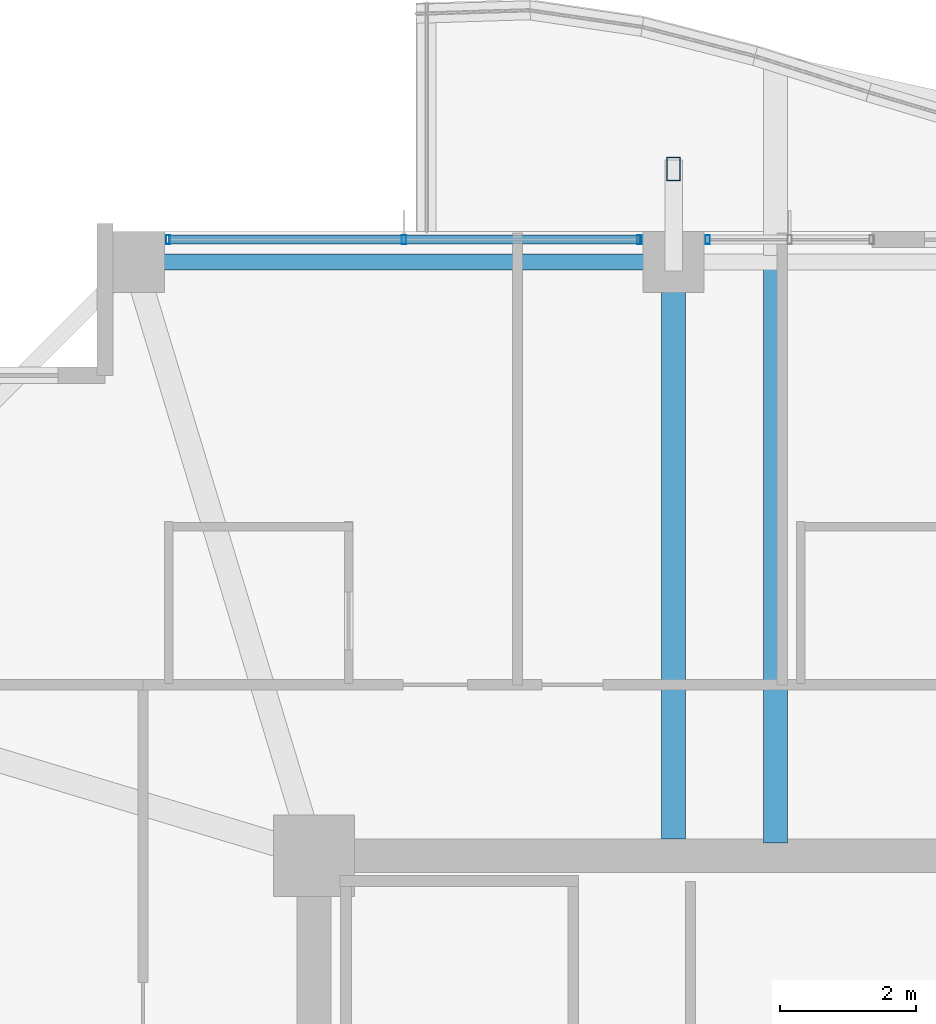
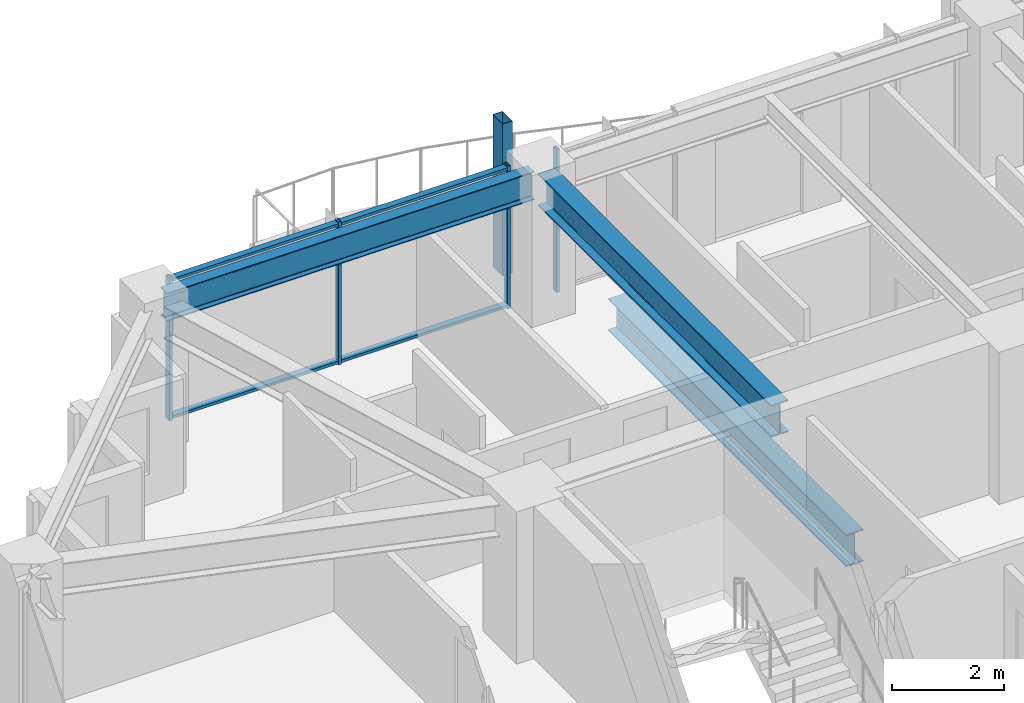
# One storey, part 16 of 32: 7 members, 3 beams, 2 elements without a shape of their own.
"""IFC4 building model written with IfcOpenShell, lengths in metres."""

from ifc_helpers import new_model, si_unit, direction, frame, origin, origin_2d, place, context, subcontext, project, spatial, hollow_rectangle, i_section, extrude, material, material_profile, profile_set, type_object, element, aggregate, save


model = new_model("IFC4")

# Units and contexts
model_context = context("Model", 3, precision=1e-05, world=origin(), true_north=direction((0.0, 1.0)))
body_context = subcontext(model_context, "Body", "Model", "MODEL_VIEW")
ifc_project = project(units=[si_unit("LENGTHUNIT", "METRE"), si_unit("AREAUNIT", "SQUARE_METRE"), si_unit("VOLUMEUNIT", "CUBIC_METRE"), si_unit("PLANEANGLEUNIT", "RADIAN"), si_unit("MASSUNIT", "GRAM", prefix="KILO")], contexts=[model_context])

# Site, building, storey
site_placement = place(None, origin())
site = spatial("IfcSite", under=ifc_project, at=site_placement, CompositionType="ELEMENT")
building_placement = place(site_placement, origin())
building = spatial("IfcBuilding", under=site, at=building_placement, Name="Kolvaren Belvedere", CompositionType="ELEMENT")
storey_placement = place(building_placement, frame((0.0, 0.0, 160.199951171875)))
storey = spatial("IfcBuildingStorey", under=building, at=storey_placement, Name="L46", CompositionType="ELEMENT", Elevation=160.199951171875)

# Beams
ifc_material_1 = material(Name="Structural steel ASTM A992 Grade 50", Category="steel")
ifc_material_profile_1 = material_profile(ifc_material_1, i_section(OverallWidth=0.35498046875, OverallDepth=0.696044921875, WebThickness=0.015380859375, FlangeThickness=0.02490234375, FilletRadius=0.02197265625, at=origin_2d()), Name="W27X146")
ifc_profile_set_1 = profile_set([ifc_material_profile_1], Name="Structural steel ASTM A992 Grade 50")
beam_type_1 = type_object("IfcBeamType", Name="BM-GIRD-W27X146", PredefinedType="BEAM", material=ifc_profile_set_1)
beam_1_placement = place(storey_placement, frame((-3.10009765625, 10.090087890625, -0.5478515625), z_axis=(0.0, 1.0, 0.0), x_axis=(-1.0, 0.0, 0.0)))
element("IfcBeam", 1, at=beam_1_placement, inside=storey, type_object=beam_type_1, Name="L46 Balcony Interior Back-Span Girder BAL-N-1", PredefinedType="BEAM", context=body_context, shape_type="SweptSolid", body=[
    extrude(i_section(OverallWidth=0.35498046875, OverallDepth=0.696044921875, WebThickness=0.015380859375, FlangeThickness=0.02490234375, FilletRadius=0.02197265625, at=origin_2d()), origin(), (0.0, 0.0, 1.0), 8.46484375),
])
beam_2_placement = place(storey_placement, frame((-4.60009765625, 10.14990234375, 2.751953125), z_axis=(0.0, 1.0, 0.0), x_axis=(-1.0, 0.0, 0.0)))
element("IfcBeam", 2, at=beam_2_placement, inside=storey, type_object=beam_type_1, Name="L46 North Radial Girder M", PredefinedType="BEAM", context=body_context, shape_type="SweptSolid", body=[
    extrude(i_section(OverallWidth=0.35498046875, OverallDepth=0.696044921875, WebThickness=0.015380859375, FlangeThickness=0.02490234375, FilletRadius=0.02197265625, at=origin_2d()), origin(), (0.0, 0.0, 1.0), 8.297607421875),
])
ifc_material_2 = material(Name="Structural steel ASTM A992 Grade 50", Category="steel")
ifc_material_profile_2 = material_profile(ifc_material_2, i_section(OverallWidth=0.22900390625, OverallDepth=0.612060546875, WebThickness=0.011962890625, FlangeThickness=0.01953125, FilletRadius=0.01806640625, at=origin_2d()), Name="W24X84")
ifc_profile_set_2 = profile_set([ifc_material_profile_2], Name="Structural steel ASTM A992 Grade 50")
beam_type_2 = type_object("IfcBeamType", Name="BM-SPAN-W24X84", PredefinedType="SPANDREL", material=ifc_profile_set_2)
beam_3_placement = place(storey_placement, frame((-4.802490234375, 18.64990234375, 2.7939453125), z_axis=(-1.0, 0.0, 0.0), x_axis=(0.0, -1.0, 0.0)))
element("IfcBeam", 3, at=beam_3_placement, inside=storey, type_object=beam_type_2, Name="L46 Perimeter Spandrel N2-N1", PredefinedType="SPANDREL", context=body_context, shape_type="SweptSolid", body=[
    extrude(i_section(OverallWidth=0.22900390625, OverallDepth=0.612060546875, WebThickness=0.011962890625, FlangeThickness=0.01953125, FilletRadius=0.01806640625, at=origin_2d()), origin(), (0.0, 0.0, 1.0), 7.544921875),
])

# Curtain wall, members
ifc_material_3 = material(Name="Anodised pale-metal aluminium AA 6063-T6", Category="aluminium")
curtain_wall_type = type_object("IfcCurtainWallType", Name="CW-Z3-WAIST", PredefinedType="NOTDEFINED", material=ifc_material_3)
curtain_wall_1_placement = place(storey_placement, origin())
curtain_wall_1 = element("IfcCurtainWall", 4, at=curtain_wall_1_placement, inside=storey, type_object=curtain_wall_type, Name="L46 Unitised Curtain Wall FCW-L46-N1-B1", PredefinedType="NOTDEFINED")
ifc_material_4 = material(Name="Anodised pale-metal aluminium AA 6063-T6", Category="aluminium")
ifc_material_profile_3 = material_profile(ifc_material_4, hollow_rectangle(XDim=0.06494140625, YDim=0.1298828125, WallThickness=0.00390625, at=origin_2d()), Name="ALU-MUL-130X65")
ifc_profile_set_3 = profile_set([ifc_material_profile_3], Name="Anodised pale-metal aluminium AA 6063-T6")
member_type_1 = type_object("IfcMemberType", Name="CW-MUL-130", PredefinedType="MULLION", material=ifc_profile_set_3)
member_1_placement = place(storey_placement, frame((-12.047607421875, 18.97998046875, 0.0), z_axis=(0.0, 0.0, 1.0), x_axis=(1.0, 0.0, 0.0)))
member_1 = element("IfcMember", 5, at=member_1_placement, type_object=member_type_1, Name="FCW-L46-N1-B1 Unitised Mullion 1", PredefinedType="MULLION", context=body_context, shape_type="SweptSolid", body=[
    extrude(hollow_rectangle(XDim=0.06494140625, YDim=0.1298828125, WallThickness=0.00390625, at=origin_2d()), origin(), (0.0, 0.0, 1.0), 3.10009765625),
])
member_2_placement = place(storey_placement, frame((-8.574951171875, 18.97998046875, 0.0), z_axis=(0.0, 0.0, 1.0), x_axis=(1.0, 0.0, 0.0)))
member_2 = element("IfcMember", 6, at=member_2_placement, type_object=member_type_1, Name="FCW-L46-N1-B1 Unitised Mullion 2", PredefinedType="MULLION", context=body_context, shape_type="SweptSolid", body=[
    extrude(hollow_rectangle(XDim=0.06494140625, YDim=0.1298828125, WallThickness=0.00390625, at=origin_2d()), origin(), (0.0, 0.0, 1.0), 3.10009765625),
])
member_3_placement = place(storey_placement, frame((-5.1025390625, 18.97998046875, 0.0), z_axis=(0.0, 0.0, 1.0), x_axis=(1.0, 0.0, 0.0)))
member_3 = element("IfcMember", 7, at=member_3_placement, type_object=member_type_1, Name="FCW-L46-N1-B1 Unitised Mullion 3", PredefinedType="MULLION", context=body_context, shape_type="SweptSolid", body=[
    extrude(hollow_rectangle(XDim=0.06494140625, YDim=0.1298828125, WallThickness=0.00390625, at=origin_2d()), origin(), (0.0, 0.0, 1.0), 3.10009765625),
])

# Curtain wall, member
curtain_wall_2_placement = place(storey_placement, origin())
curtain_wall_2 = element("IfcCurtainWall", 8, at=curtain_wall_2_placement, inside=storey, type_object=curtain_wall_type, Name="L46 Unitised Curtain Wall FCW-L46-N1-B2", PredefinedType="NOTDEFINED")
member_4_placement = place(storey_placement, frame((-4.097412109375, 18.97998046875, 0.0), z_axis=(0.0, 0.0, 1.0), x_axis=(1.0, 0.0, 0.0)))
member_4 = element("IfcMember", 9, at=member_4_placement, type_object=member_type_1, Name="FCW-L46-N1-B2 Unitised Mullion 1", PredefinedType="MULLION", context=body_context, shape_type="SweptSolid", body=[
    extrude(hollow_rectangle(XDim=0.06494140625, YDim=0.1298828125, WallThickness=0.00390625, at=origin_2d()), origin(), (0.0, 0.0, 1.0), 3.10009765625),
])
aggregate(curtain_wall_2, [member_4])

# Member
ifc_material_5 = material(Name="Anodised pale-metal aluminium AA 6063-T6", Category="aluminium")
ifc_material_profile_4 = material_profile(ifc_material_5, hollow_rectangle(XDim=0.06005859375, YDim=0.1298828125, WallThickness=0.00390625, at=origin_2d()), Name="ALU-TRN-130X60")
ifc_profile_set_4 = profile_set([ifc_material_profile_4], Name="Anodised pale-metal aluminium AA 6063-T6")
member_type_2 = type_object("IfcMemberType", Name="CW-TRN-130", PredefinedType="USERDEFINED", material=ifc_profile_set_4)
member_5_placement = place(storey_placement, frame((-12.047607421875, 18.97998046875, 0.06005859375), z_axis=(1.0, 0.0, 0.0), x_axis=(0.0, 0.0, 1.0)))
member_5 = element("IfcMember", 10, at=member_5_placement, type_object=member_type_2, Name="FCW-L46-N1-B1 Sill Transom", ObjectType="TRANSOM", PredefinedType="USERDEFINED", context=body_context, shape_type="SweptSolid", body=[
    extrude(hollow_rectangle(XDim=0.06005859375, YDim=0.1298828125, WallThickness=0.00390625, at=origin_2d()), origin(), (0.0, 0.0, 1.0), 6.945068359375),
])

member_6_placement = place(storey_placement, frame((-12.047607421875, 18.97998046875, 3.0400390625), z_axis=(1.0, 0.0, 0.0), x_axis=(0.0, 0.0, 1.0)))
member_6 = element("IfcMember", 11, at=member_6_placement, type_object=member_type_2, Name="FCW-L46-N1-B1 Head Transom", ObjectType="TRANSOM", PredefinedType="USERDEFINED", context=body_context, shape_type="SweptSolid", body=[
    extrude(hollow_rectangle(XDim=0.06005859375, YDim=0.1298828125, WallThickness=0.00390625, at=origin_2d()), origin(), (0.0, 0.0, 1.0), 6.945068359375),
])

aggregate(curtain_wall_1, [member_1, member_2, member_3, member_5, member_6])

ifc_material_6 = material(Name="Anodised pale-metal aluminium AA 6063-T6", Category="aluminium")
ifc_material_profile_5 = material_profile(ifc_material_6, hollow_rectangle(XDim=0.199951171875, YDim=0.35009765625, WallThickness=0.007568359375, at=origin_2d()), Name="ALU-PF-350X200")
ifc_profile_set_5 = profile_set([ifc_material_profile_5], Name="Anodised pale-metal aluminium AA 6063-T6")
member_type_3 = type_object("IfcMemberType", Name="PF-FRAME-350", PredefinedType="USERDEFINED", material=ifc_profile_set_5)
member_7_placement = place(storey_placement, frame((-4.60009765625, 20.02001953125, 0.0), z_axis=(0.0, 0.0, 1.0), x_axis=(1.0, 0.0, 0.0)))
element("IfcMember", 12, at=member_7_placement, inside=storey, type_object=member_type_3, Name="L46 Outboard Picture-Frame Vertical N1", ObjectType="PICTURE FRAME FIN", PredefinedType="USERDEFINED", context=body_context, shape_type="SweptSolid", body=[
    extrude(hollow_rectangle(XDim=0.199951171875, YDim=0.35009765625, WallThickness=0.007568359375, at=origin_2d()), origin(), (0.0, 0.0, 1.0), 3.300048828125),
])

save(model, "model.ifc")
